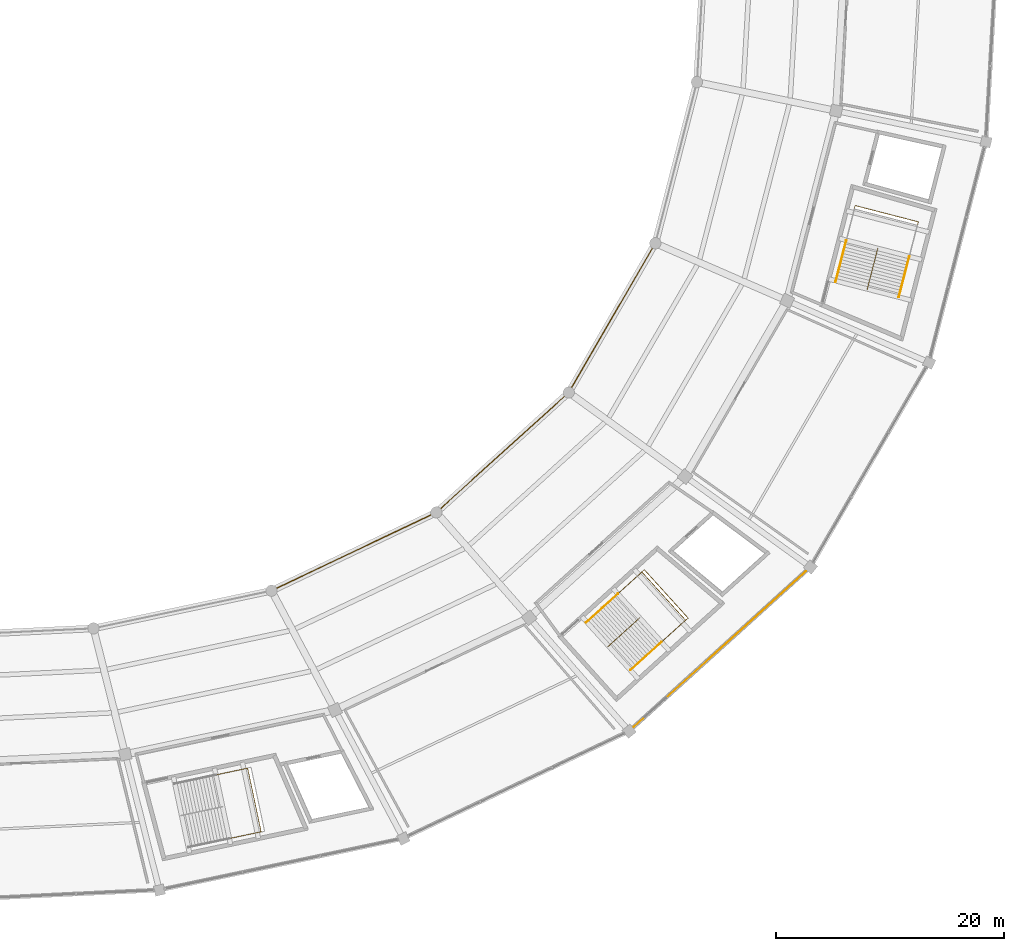
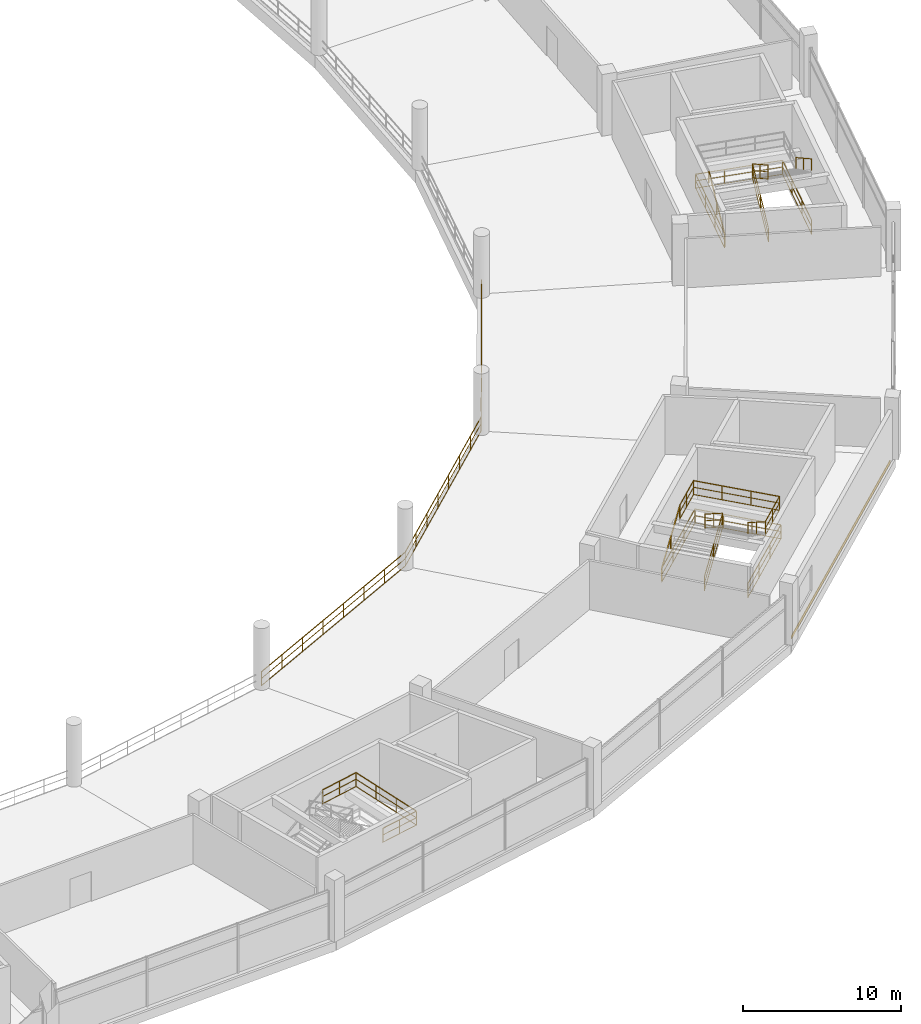
# One storey, part 167 of 171: 13 railings, 1 covering.
"""IFC4 building model written with IfcOpenShell, lengths in metres."""

from ifc_helpers import new_model, si_unit, direction, frame, origin, origin_2d, place, context, subcontext, project, spatial, rectangle, extrude, material, layer, layer_set, type_object, element, save


model = new_model("IFC4")

# Units and contexts
model_context = context("Model", 3, precision=1e-05, world=origin(), true_north=direction((0.0, 1.0)))
body_context = subcontext(model_context, "Body", "Model", "MODEL_VIEW")
ifc_project = project(units=[si_unit("LENGTHUNIT", "METRE"), si_unit("AREAUNIT", "SQUARE_METRE"), si_unit("VOLUMEUNIT", "CUBIC_METRE"), si_unit("PLANEANGLEUNIT", "RADIAN"), si_unit("MASSUNIT", "GRAM", prefix="KILO")], contexts=[model_context])

# Site, building, storey
site_placement = place(None, origin())
site = spatial("IfcSite", under=ifc_project, at=site_placement, CompositionType="ELEMENT")
building_placement = place(site_placement, origin())
building = spatial("IfcBuilding", under=site, at=building_placement, Name="Kazemori Nagisa Stadium", CompositionType="ELEMENT")
storey_placement = place(building_placement, frame((0.0, 0.0, 15.639892578125)))
storey = spatial("IfcBuildingStorey", under=building, at=storey_placement, Name="L03", CompositionType="ELEMENT", Elevation=15.639892578125)

# Covering
ifc_material_1 = material(Name="Anodised aluminium 6063-T5", Category="aluminium")
ifc_layer = layer(ifc_material_1, 0.034912109375, Name="Anodised aluminium 6063-T5", Category="aluminium")
ifc_layer_set = layer_set([ifc_layer], Name="Anodised aluminium 6063-T5")
covering_type = type_object("IfcCoveringType", Name="Covering_CLAD", PredefinedType="CLADDING", material=ifc_layer_set)
covering_placement = place(storey_placement, frame((193.546630859375, 38.13671875, -0.259765625), z_axis=(0.0, 0.0, 1.0), x_axis=(0.741350875443, 0.671117634607, 0.0)))
element("IfcCovering", 1, at=covering_placement, inside=storey, type_object=covering_type, Name="Anodised fascia cladding L03-B25", PredefinedType="CLADDING", context=body_context, shape_type="SweptSolid", body=[
    extrude(rectangle(XDim=20.34375, YDim=0.0400390625, at=origin_2d()), origin(), (0.0, 0.0, 1.0), 0.260009765625),
])

# Railings
ifc_material_2 = material(Name="Laminated safety glass and stainless steel SUS304", Category="steel")
railing_type_1 = type_object("IfcRailingType", Name="Rail_BAL", PredefinedType="BALUSTRADE", material=ifc_material_2)
railing_1_placement = place(storey_placement, frame((154.24755859375, 43.260986328125, 0.0)))
element("IfcRailing", 2, at=railing_1_placement, inside=storey, type_object=railing_type_1, Name="Concourse bowl balustrade L03-B24", PredefinedType="BALUSTRADE", context=body_context, shape_type="SweptSolid", body=[
    extrude(rectangle(XDim=0.050048828125, YDim=0.050048828125, at=origin_2d()), frame((0.0, 0.0, 1.09521484375), z_axis=(0.903211989129, 0.429194714196, 0.0), x_axis=(-0.429194714196, 0.903211989129, 0.0)), (0.0, 0.0, 1.0), 15.997314453125),
    extrude(rectangle(XDim=0.03759765625, YDim=0.03759765625, at=origin_2d()), frame((0.0, 0.0, 0.58251953125), z_axis=(0.903211989129, 0.429194714196, 0.0), x_axis=(-0.429194714196, 0.903211989129, 0.0)), (0.0, 0.0, 1.0), 15.997314453125),
    extrude(rectangle(XDim=0.03759765625, YDim=0.03759765625, at=origin_2d()), frame((0.0, 0.0, 0.02490234375), z_axis=(0.903211989129, 0.429194714196, 0.0), x_axis=(-0.429194714196, 0.903211989129, 0.0)), (0.0, 0.0, 1.0), 15.997314453125),
    extrude(rectangle(XDim=0.044921875, YDim=0.044921875, at=origin_2d()), origin(), (0.0, 0.0, 1.0), 1.070068359375),
    extrude(rectangle(XDim=0.044921875, YDim=0.044921875, at=origin_2d()), frame((2.064208984375, 0.98095703125, 0.0)), (0.0, 0.0, 1.0), 1.070068359375),
    extrude(rectangle(XDim=0.044921875, YDim=0.044921875, at=origin_2d()), frame((4.128173828125, 1.961669921875, 0.0)), (0.0, 0.0, 1.0), 1.070068359375),
    extrude(rectangle(XDim=0.044921875, YDim=0.044921875, at=origin_2d()), frame((6.1923828125, 2.942626953125, 0.0)), (0.0, 0.0, 1.0), 1.070068359375),
    extrude(rectangle(XDim=0.044921875, YDim=0.044921875, at=origin_2d()), frame((8.256591796875, 3.92333984375, 0.0)), (0.0, 0.0, 1.0), 1.070068359375),
    extrude(rectangle(XDim=0.044921875, YDim=0.044921875, at=origin_2d()), frame((10.32080078125, 4.904296875, 0.0)), (0.0, 0.0, 1.0), 1.070068359375),
    extrude(rectangle(XDim=0.044921875, YDim=0.044921875, at=origin_2d()), frame((12.384765625, 5.885009765625, 0.0)), (0.0, 0.0, 1.0), 1.070068359375),
    extrude(rectangle(XDim=0.044921875, YDim=0.044921875, at=origin_2d()), frame((14.448974609375, 6.865966796875, 0.0)), (0.0, 0.0, 1.0), 1.070068359375),
])
railing_2_placement = place(storey_placement, frame((168.696533203125, 50.126953125, 0.0)))
element("IfcRailing", 3, at=railing_2_placement, inside=storey, type_object=railing_type_1, Name="Concourse bowl balustrade L03-B25", PredefinedType="BALUSTRADE", context=body_context, shape_type="SweptSolid", body=[
    extrude(rectangle(XDim=0.050048828125, YDim=0.050048828125, at=origin_2d()), frame((0.0, 0.0, 1.09521484375), z_axis=(0.741349160152, 0.6711195294, 0.0), x_axis=(-0.6711195294, 0.741349160152, 0.0)), (0.0, 0.0, 1.0), 15.65380859375),
    extrude(rectangle(XDim=0.03759765625, YDim=0.03759765625, at=origin_2d()), frame((0.0, 0.0, 0.58251953125), z_axis=(0.741349160152, 0.6711195294, 0.0), x_axis=(-0.6711195294, 0.741349160152, 0.0)), (0.0, 0.0, 1.0), 15.65380859375),
    extrude(rectangle(XDim=0.03759765625, YDim=0.03759765625, at=origin_2d()), frame((0.0, 0.0, 0.02490234375), z_axis=(0.741349160152, 0.6711195294, 0.0), x_axis=(-0.6711195294, 0.741349160152, 0.0)), (0.0, 0.0, 1.0), 15.65380859375),
    extrude(rectangle(XDim=0.044921875, YDim=0.044921875, at=origin_2d()), origin(), (0.0, 0.0, 1.0), 1.070068359375),
    extrude(rectangle(XDim=0.044921875, YDim=0.044921875, at=origin_2d()), frame((1.657958984375, 1.500732421875, 0.0)), (0.0, 0.0, 1.0), 1.070068359375),
    extrude(rectangle(XDim=0.044921875, YDim=0.044921875, at=origin_2d()), frame((3.315673828125, 3.001708984375, 0.0)), (0.0, 0.0, 1.0), 1.070068359375),
    extrude(rectangle(XDim=0.044921875, YDim=0.044921875, at=origin_2d()), frame((4.9736328125, 4.50244140625, 0.0)), (0.0, 0.0, 1.0), 1.070068359375),
    extrude(rectangle(XDim=0.044921875, YDim=0.044921875, at=origin_2d()), frame((6.63134765625, 6.003173828125, 0.0)), (0.0, 0.0, 1.0), 1.070068359375),
    extrude(rectangle(XDim=0.044921875, YDim=0.044921875, at=origin_2d()), frame((8.289306640625, 7.50390625, 0.0)), (0.0, 0.0, 1.0), 1.070068359375),
    extrude(rectangle(XDim=0.044921875, YDim=0.044921875, at=origin_2d()), frame((9.947021484375, 9.0048828125, 0.0)), (0.0, 0.0, 1.0), 1.070068359375),
    extrude(rectangle(XDim=0.044921875, YDim=0.044921875, at=origin_2d()), frame((11.60498046875, 10.505615234375, 0.0)), (0.0, 0.0, 1.0), 1.070068359375),
])
railing_3_placement = place(storey_placement, frame((180.301513671875, 60.632568359375, 0.0)))
element("IfcRailing", 4, at=railing_3_placement, inside=storey, type_object=railing_type_1, Name="Concourse bowl balustrade L03-B26", PredefinedType="BALUSTRADE", context=body_context, shape_type="SweptSolid", body=[
    extrude(rectangle(XDim=0.050048828125, YDim=0.050048828125, at=origin_2d()), frame((0.0, 0.0, 1.09521484375), z_axis=(0.501613453924, 0.865091869597, 0.0), x_axis=(-0.865091869597, 0.501613453924, 0.0)), (0.0, 0.0, 1.0), 15.1201171875),
    extrude(rectangle(XDim=0.03759765625, YDim=0.03759765625, at=origin_2d()), frame((0.0, 0.0, 0.58251953125), z_axis=(0.501613453924, 0.865091869597, 0.0), x_axis=(-0.865091869597, 0.501613453924, 0.0)), (0.0, 0.0, 1.0), 15.1201171875),
    extrude(rectangle(XDim=0.03759765625, YDim=0.03759765625, at=origin_2d()), frame((0.0, 0.0, 0.02490234375), z_axis=(0.501613453924, 0.865091869597, 0.0), x_axis=(-0.865091869597, 0.501613453924, 0.0)), (0.0, 0.0, 1.0), 15.1201171875),
    extrude(rectangle(XDim=0.044921875, YDim=0.044921875, at=origin_2d()), origin(), (0.0, 0.0, 1.0), 1.070068359375),
    extrude(rectangle(XDim=0.044921875, YDim=0.044921875, at=origin_2d()), frame((1.08349609375, 1.86865234375, 0.0)), (0.0, 0.0, 1.0), 1.070068359375),
    extrude(rectangle(XDim=0.044921875, YDim=0.044921875, at=origin_2d()), frame((2.1669921875, 3.7373046875, 0.0)), (0.0, 0.0, 1.0), 1.070068359375),
    extrude(rectangle(XDim=0.044921875, YDim=0.044921875, at=origin_2d()), frame((3.25048828125, 5.60595703125, 0.0)), (0.0, 0.0, 1.0), 1.070068359375),
    extrude(rectangle(XDim=0.044921875, YDim=0.044921875, at=origin_2d()), frame((4.333984375, 7.474365234375, 0.0)), (0.0, 0.0, 1.0), 1.070068359375),
    extrude(rectangle(XDim=0.044921875, YDim=0.044921875, at=origin_2d()), frame((5.41748046875, 9.343017578125, 0.0)), (0.0, 0.0, 1.0), 1.070068359375),
    extrude(rectangle(XDim=0.044921875, YDim=0.044921875, at=origin_2d()), frame((6.5009765625, 11.211669921875, 0.0)), (0.0, 0.0, 1.0), 1.070068359375),
    extrude(rectangle(XDim=0.044921875, YDim=0.044921875, at=origin_2d()), frame((7.58447265625, 13.080322265625, 0.0)), (0.0, 0.0, 1.0), 1.070068359375),
])
ifc_material_3 = material(Name="Galvanised powder-coated steel", Category="steel")
railing_type_2 = type_object("IfcRailingType", Name="Rail_GUARD", PredefinedType="GUARDRAIL", material=ifc_material_3)
railing_4_placement = place(storey_placement, frame((149.372314453125, 27.11376953125, 2.380126953125)))
element("IfcRailing", 5, at=railing_4_placement, inside=storey, type_object=railing_type_2, Name="Stair landing guard ST06-L03", PredefinedType="GUARDRAIL", context=body_context, shape_type="SweptSolid", body=[
    extrude(rectangle(XDim=0.050048828125, YDim=0.050048828125, at=origin_2d()), frame((0.0, 0.0, 1.09521484375), z_axis=(0.978349369565, 0.206960167837, 0.0), x_axis=(-0.206960167837, 0.978349369565, 0.0)), (0.0, 0.0, 1.0), 2.85009765625),
    extrude(rectangle(XDim=0.03759765625, YDim=0.03759765625, at=origin_2d()), frame((0.0, 0.0, 0.58251953125), z_axis=(0.978349369565, 0.206960167837, 0.0), x_axis=(-0.206960167837, 0.978349369565, 0.0)), (0.0, 0.0, 1.0), 2.85009765625),
    extrude(rectangle(XDim=0.03759765625, YDim=0.03759765625, at=origin_2d()), frame((0.0, 0.0, 0.02490234375), z_axis=(0.978349369565, 0.206960167837, 0.0), x_axis=(-0.206960167837, 0.978349369565, 0.0)), (0.0, 0.0, 1.0), 2.85009765625),
    extrude(rectangle(XDim=0.050048828125, YDim=0.050048828125, at=origin_2d()), frame((2.788330078125, 0.58984375, 1.09521484375), z_axis=(0.206968840618, -0.978347534884, 0.0), x_axis=(0.978347534884, 0.206968840618, 0.0)), (0.0, 0.0, 1.0), 5.699951171875),
    extrude(rectangle(XDim=0.03759765625, YDim=0.03759765625, at=origin_2d()), frame((2.788330078125, 0.58984375, 0.58251953125), z_axis=(0.206968840618, -0.978347534884, 0.0), x_axis=(0.978347534884, 0.206968840618, 0.0)), (0.0, 0.0, 1.0), 5.699951171875),
    extrude(rectangle(XDim=0.03759765625, YDim=0.03759765625, at=origin_2d()), frame((2.788330078125, 0.58984375, 0.02490234375), z_axis=(0.206968840618, -0.978347534884, 0.0), x_axis=(0.978347534884, 0.206968840618, 0.0)), (0.0, 0.0, 1.0), 5.699951171875),
    extrude(rectangle(XDim=0.050048828125, YDim=0.050048828125, at=origin_2d()), frame((3.968017578125, -4.986572265625, 1.09521484375), z_axis=(-0.978349369565, -0.206960167837, 0.0), x_axis=(0.206960167837, -0.978349369565, 0.0)), (0.0, 0.0, 1.0), 2.85009765625),
    extrude(rectangle(XDim=0.03759765625, YDim=0.03759765625, at=origin_2d()), frame((3.968017578125, -4.986572265625, 0.58251953125), z_axis=(-0.978349369565, -0.206960167837, 0.0), x_axis=(0.206960167837, -0.978349369565, 0.0)), (0.0, 0.0, 1.0), 2.85009765625),
    extrude(rectangle(XDim=0.03759765625, YDim=0.03759765625, at=origin_2d()), frame((3.968017578125, -4.986572265625, 0.02490234375), z_axis=(-0.978349369565, -0.206960167837, 0.0), x_axis=(0.206960167837, -0.978349369565, 0.0)), (0.0, 0.0, 1.0), 2.85009765625),
    extrude(rectangle(XDim=0.044921875, YDim=0.044921875, at=origin_2d()), origin(), (0.0, 0.0, 1.0), 1.070068359375),
    extrude(rectangle(XDim=0.044921875, YDim=0.044921875, at=origin_2d()), frame((1.39404296875, 0.294921875, 0.0)), (0.0, 0.0, 1.0), 1.070068359375),
    extrude(rectangle(XDim=0.044921875, YDim=0.044921875, at=origin_2d()), frame((2.788330078125, 0.58984375, 0.0)), (0.0, 0.0, 1.0), 1.070068359375),
    extrude(rectangle(XDim=0.044921875, YDim=0.044921875, at=origin_2d()), frame((3.181640625, -1.26904296875, 0.0)), (0.0, 0.0, 1.0), 1.070068359375),
    extrude(rectangle(XDim=0.044921875, YDim=0.044921875, at=origin_2d()), frame((3.57470703125, -3.127685546875, 0.0)), (0.0, 0.0, 1.0), 1.070068359375),
    extrude(rectangle(XDim=0.044921875, YDim=0.044921875, at=origin_2d()), frame((3.968017578125, -4.986572265625, 0.0)), (0.0, 0.0, 1.0), 1.070068359375),
    extrude(rectangle(XDim=0.044921875, YDim=0.044921875, at=origin_2d()), frame((2.57373046875, -5.281494140625, 0.0)), (0.0, 0.0, 1.0), 1.070068359375),
    extrude(rectangle(XDim=0.044921875, YDim=0.044921875, at=origin_2d()), frame((1.1796875, -5.576416015625, 0.0)), (0.0, 0.0, 1.0), 1.070068359375),
])
railing_5_placement = place(storey_placement, frame((181.87890625, 40.5205078125, 0.0)))
element("IfcRailing", 6, at=railing_5_placement, inside=storey, type_object=railing_type_2, Name="Stair well perimeter guard ST04-L03", PredefinedType="GUARDRAIL", context=body_context, shape_type="SweptSolid", body=[
    extrude(rectangle(XDim=0.050048828125, YDim=0.050048828125, at=origin_2d()), frame((0.0, 0.0, 1.09521484375), z_axis=(0.741349748907, 0.671118879034, 0.0), x_axis=(-0.671118879034, 0.741349748907, 0.0)), (0.0, 0.0, 1.0), 6.81005859375),
    extrude(rectangle(XDim=0.03759765625, YDim=0.03759765625, at=origin_2d()), frame((0.0, 0.0, 0.58251953125), z_axis=(0.741349748907, 0.671118879034, 0.0), x_axis=(-0.671118879034, 0.741349748907, 0.0)), (0.0, 0.0, 1.0), 6.81005859375),
    extrude(rectangle(XDim=0.03759765625, YDim=0.03759765625, at=origin_2d()), frame((0.0, 0.0, 0.02490234375), z_axis=(0.741349748907, 0.671118879034, 0.0), x_axis=(-0.671118879034, 0.741349748907, 0.0)), (0.0, 0.0, 1.0), 6.81005859375),
    extrude(rectangle(XDim=0.050048828125, YDim=0.050048828125, at=origin_2d()), frame((5.048583984375, 4.5703125, 1.09521484375), z_axis=(0.671110696127, -0.741357156534, 0.0), x_axis=(0.741357156534, 0.671110696127, 0.0)), (0.0, 0.0, 1.0), 5.69970703125),
    extrude(rectangle(XDim=0.03759765625, YDim=0.03759765625, at=origin_2d()), frame((5.048583984375, 4.5703125, 0.58251953125), z_axis=(0.671110696127, -0.741357156534, 0.0), x_axis=(0.741357156534, 0.671110696127, 0.0)), (0.0, 0.0, 1.0), 5.69970703125),
    extrude(rectangle(XDim=0.03759765625, YDim=0.03759765625, at=origin_2d()), frame((5.048583984375, 4.5703125, 0.02490234375), z_axis=(0.671110696127, -0.741357156534, 0.0), x_axis=(0.741357156534, 0.671110696127, 0.0)), (0.0, 0.0, 1.0), 5.69970703125),
    extrude(rectangle(XDim=0.050048828125, YDim=0.050048828125, at=origin_2d()), frame((8.873779296875, 0.3447265625, 1.09521484375), z_axis=(-0.741349748907, -0.671118879034, 0.0), x_axis=(0.671118879034, -0.741349748907, 0.0)), (0.0, 0.0, 1.0), 6.81005859375),
    extrude(rectangle(XDim=0.03759765625, YDim=0.03759765625, at=origin_2d()), frame((8.873779296875, 0.3447265625, 0.58251953125), z_axis=(-0.741349748907, -0.671118879034, 0.0), x_axis=(0.671118879034, -0.741349748907, 0.0)), (0.0, 0.0, 1.0), 6.81005859375),
    extrude(rectangle(XDim=0.03759765625, YDim=0.03759765625, at=origin_2d()), frame((8.873779296875, 0.3447265625, 0.02490234375), z_axis=(-0.741349748907, -0.671118879034, 0.0), x_axis=(0.671118879034, -0.741349748907, 0.0)), (0.0, 0.0, 1.0), 6.81005859375),
    extrude(rectangle(XDim=0.044921875, YDim=0.044921875, at=origin_2d()), origin(), (0.0, 0.0, 1.0), 1.070068359375),
    extrude(rectangle(XDim=0.044921875, YDim=0.044921875, at=origin_2d()), frame((1.682861328125, 1.5234375, 0.0)), (0.0, 0.0, 1.0), 1.070068359375),
    extrude(rectangle(XDim=0.044921875, YDim=0.044921875, at=origin_2d()), frame((3.36572265625, 3.046875, 0.0)), (0.0, 0.0, 1.0), 1.070068359375),
    extrude(rectangle(XDim=0.044921875, YDim=0.044921875, at=origin_2d()), frame((5.048583984375, 4.5703125, 0.0)), (0.0, 0.0, 1.0), 1.070068359375),
    extrude(rectangle(XDim=0.044921875, YDim=0.044921875, at=origin_2d()), frame((6.32373046875, 3.161865234375, 0.0)), (0.0, 0.0, 1.0), 1.070068359375),
    extrude(rectangle(XDim=0.044921875, YDim=0.044921875, at=origin_2d()), frame((7.5986328125, 1.753173828125, 0.0)), (0.0, 0.0, 1.0), 1.070068359375),
    extrude(rectangle(XDim=0.044921875, YDim=0.044921875, at=origin_2d()), frame((8.873779296875, 0.3447265625, 0.0)), (0.0, 0.0, 1.0), 1.070068359375),
    extrude(rectangle(XDim=0.044921875, YDim=0.044921875, at=origin_2d()), frame((7.19091796875, -1.1787109375, 0.0)), (0.0, 0.0, 1.0), 1.070068359375),
    extrude(rectangle(XDim=0.044921875, YDim=0.044921875, at=origin_2d()), frame((5.508056640625, -2.7021484375, 0.0)), (0.0, 0.0, 1.0), 1.070068359375),
    extrude(rectangle(XDim=0.044921875, YDim=0.044921875, at=origin_2d()), frame((3.8251953125, -4.2255859375, 0.0)), (0.0, 0.0, 1.0), 1.070068359375),
])
railing_6_placement = place(storey_placement, frame((183.732177734375, 38.35400390625, 0.0)))
element("IfcRailing", 7, at=railing_6_placement, inside=storey, type_object=railing_type_2, Name="Stair central guard ST04-L03", PredefinedType="GUARDRAIL", context=body_context, shape_type="SweptSolid", body=[
    extrude(rectangle(XDim=0.050048828125, YDim=0.050048828125, at=origin_2d()), frame((0.0, 0.0, 1.09521484375), z_axis=(0.626150634945, 0.566841506219, 0.535374718478), x_axis=(-0.671124405314, 0.741344746114, 0.0)), (0.0, 0.0, 1.0), 4.44580078125),
    extrude(rectangle(XDim=0.03759765625, YDim=0.03759765625, at=origin_2d()), frame((0.0, 0.0, 0.58251953125), z_axis=(0.626150634945, 0.566841506219, 0.535374718478), x_axis=(-0.671124405314, 0.741344746114, 0.0)), (0.0, 0.0, 1.0), 4.44580078125),
    extrude(rectangle(XDim=0.03759765625, YDim=0.03759765625, at=origin_2d()), frame((0.0, 0.0, 0.02490234375), z_axis=(0.626150634945, 0.566841506219, 0.535374718478), x_axis=(-0.671124405314, 0.741344746114, 0.0)), (0.0, 0.0, 1.0), 4.44580078125),
    extrude(rectangle(XDim=0.050048828125, YDim=0.050048828125, at=origin_2d()), frame((2.78369140625, 2.52001953125, 3.47509765625), z_axis=(-0.622256089767, -0.563314904456, 0.543574904834), x_axis=(0.671123784078, -0.741345308506, 0.0)), (0.0, 0.0, 1.0), 4.378173828125),
    extrude(rectangle(XDim=0.03759765625, YDim=0.03759765625, at=origin_2d()), frame((2.78369140625, 2.52001953125, 2.962646484375), z_axis=(-0.622256089767, -0.563314904456, 0.543574904834), x_axis=(0.671123784078, -0.741345308506, 0.0)), (0.0, 0.0, 1.0), 4.378173828125),
    extrude(rectangle(XDim=0.03759765625, YDim=0.03759765625, at=origin_2d()), frame((2.78369140625, 2.52001953125, 2.4052734375), z_axis=(-0.622256089767, -0.563314904456, 0.543574904834), x_axis=(0.671123784078, -0.741345308506, 0.0)), (0.0, 0.0, 1.0), 4.378173828125),
    extrude(rectangle(XDim=0.044921875, YDim=0.044921875, at=origin_2d()), origin(), (0.0, 0.0, 1.0), 1.070068359375),
    extrude(rectangle(XDim=0.044921875, YDim=0.044921875, at=origin_2d()), frame((1.391845703125, 1.260009765625, 1.18994140625)), (0.0, 0.0, 1.0), 1.070068359375),
    extrude(rectangle(XDim=0.044921875, YDim=0.044921875, at=origin_2d()), frame((2.78369140625, 2.52001953125, 2.380126953125)), (0.0, 0.0, 1.0), 1.070068359375),
    extrude(rectangle(XDim=0.044921875, YDim=0.044921875, at=origin_2d()), frame((1.42138671875, 1.286865234375, 3.570068359375)), (0.0, 0.0, 1.0), 1.070068359375),
    extrude(rectangle(XDim=0.044921875, YDim=0.044921875, at=origin_2d()), frame((0.059326171875, 0.0537109375, 4.760009765625)), (0.0, 0.0, 1.0), 1.070068359375),
])
railing_7_placement = place(storey_placement, frame((184.603271484375, 42.98681640625, 2.380126953125)))
element("IfcRailing", 8, at=railing_7_placement, inside=storey, type_object=railing_type_2, Name="Stair landing guard ST04-L03", PredefinedType="GUARDRAIL", context=body_context, shape_type="SweptSolid", body=[
    extrude(rectangle(XDim=0.050048828125, YDim=0.050048828125, at=origin_2d()), frame((0.0, 0.0, 1.09521484375), z_axis=(0.741314535645, 0.671157775223, 0.0), x_axis=(-0.671157775223, 0.741314535645, 0.0)), (0.0, 0.0, 1.0), 2.85009765625),
    extrude(rectangle(XDim=0.03759765625, YDim=0.03759765625, at=origin_2d()), frame((0.0, 0.0, 0.58251953125), z_axis=(0.741314535645, 0.671157775223, 0.0), x_axis=(-0.671157775223, 0.741314535645, 0.0)), (0.0, 0.0, 1.0), 2.85009765625),
    extrude(rectangle(XDim=0.03759765625, YDim=0.03759765625, at=origin_2d()), frame((0.0, 0.0, 0.02490234375), z_axis=(0.741314535645, 0.671157775223, 0.0), x_axis=(-0.671157775223, 0.741314535645, 0.0)), (0.0, 0.0, 1.0), 2.85009765625),
    extrude(rectangle(XDim=0.050048828125, YDim=0.050048828125, at=origin_2d()), frame((2.11279296875, 1.912841796875, 1.09521484375), z_axis=(0.671112926645, -0.74135513736, 0.0), x_axis=(0.74135513736, 0.671112926645, 0.0)), (0.0, 0.0, 1.0), 5.7001953125),
    extrude(rectangle(XDim=0.03759765625, YDim=0.03759765625, at=origin_2d()), frame((2.11279296875, 1.912841796875, 0.58251953125), z_axis=(0.671112926645, -0.74135513736, 0.0), x_axis=(0.74135513736, 0.671112926645, 0.0)), (0.0, 0.0, 1.0), 5.7001953125),
    extrude(rectangle(XDim=0.03759765625, YDim=0.03759765625, at=origin_2d()), frame((2.11279296875, 1.912841796875, 0.02490234375), z_axis=(0.671112926645, -0.74135513736, 0.0), x_axis=(0.74135513736, 0.671112926645, 0.0)), (0.0, 0.0, 1.0), 5.7001953125),
    extrude(rectangle(XDim=0.050048828125, YDim=0.050048828125, at=origin_2d()), frame((5.938232421875, -2.31298828125, 1.09521484375), z_axis=(-0.741357156534, -0.671110696127, 0.0), x_axis=(0.671110696127, -0.741357156534, 0.0)), (0.0, 0.0, 1.0), 2.849853515625),
    extrude(rectangle(XDim=0.03759765625, YDim=0.03759765625, at=origin_2d()), frame((5.938232421875, -2.31298828125, 0.58251953125), z_axis=(-0.741357156534, -0.671110696127, 0.0), x_axis=(0.671110696127, -0.741357156534, 0.0)), (0.0, 0.0, 1.0), 2.849853515625),
    extrude(rectangle(XDim=0.03759765625, YDim=0.03759765625, at=origin_2d()), frame((5.938232421875, -2.31298828125, 0.02490234375), z_axis=(-0.741357156534, -0.671110696127, 0.0), x_axis=(0.671110696127, -0.741357156534, 0.0)), (0.0, 0.0, 1.0), 2.849853515625),
    extrude(rectangle(XDim=0.044921875, YDim=0.044921875, at=origin_2d()), origin(), (0.0, 0.0, 1.0), 1.070068359375),
    extrude(rectangle(XDim=0.044921875, YDim=0.044921875, at=origin_2d()), frame((1.056396484375, 0.95654296875, 0.0)), (0.0, 0.0, 1.0), 1.070068359375),
    extrude(rectangle(XDim=0.044921875, YDim=0.044921875, at=origin_2d()), frame((2.11279296875, 1.912841796875, 0.0)), (0.0, 0.0, 1.0), 1.070068359375),
    extrude(rectangle(XDim=0.044921875, YDim=0.044921875, at=origin_2d()), frame((3.387939453125, 0.504150390625, 0.0)), (0.0, 0.0, 1.0), 1.070068359375),
    extrude(rectangle(XDim=0.044921875, YDim=0.044921875, at=origin_2d()), frame((4.6630859375, -0.904296875, 0.0)), (0.0, 0.0, 1.0), 1.070068359375),
    extrude(rectangle(XDim=0.044921875, YDim=0.044921875, at=origin_2d()), frame((5.938232421875, -2.31298828125, 0.0)), (0.0, 0.0, 1.0), 1.070068359375),
    extrude(rectangle(XDim=0.044921875, YDim=0.044921875, at=origin_2d()), frame((4.8818359375, -3.269287109375, 0.0)), (0.0, 0.0, 1.0), 1.070068359375),
    extrude(rectangle(XDim=0.044921875, YDim=0.044921875, at=origin_2d()), frame((3.825439453125, -4.2255859375, 0.0)), (0.0, 0.0, 1.0), 1.070068359375),
])
railing_8_placement = place(storey_placement, frame((203.708740234375, 70.41650390625, 0.0)))
element("IfcRailing", 9, at=railing_8_placement, inside=storey, type_object=railing_type_2, Name="Stair well perimeter guard ST10-L03", PredefinedType="GUARDRAIL", context=body_context, shape_type="SweptSolid", body=[
    extrude(rectangle(XDim=0.050048828125, YDim=0.050048828125, at=origin_2d()), frame((0.0, 0.0, 1.09521484375), z_axis=(0.249951748519, 0.968258293748, 0.0), x_axis=(-0.968258293748, 0.249951748519, 0.0)), (0.0, 0.0, 1.0), 6.809814453125),
    extrude(rectangle(XDim=0.03759765625, YDim=0.03759765625, at=origin_2d()), frame((0.0, 0.0, 0.58251953125), z_axis=(0.249951748519, 0.968258293748, 0.0), x_axis=(-0.968258293748, 0.249951748519, 0.0)), (0.0, 0.0, 1.0), 6.809814453125),
    extrude(rectangle(XDim=0.03759765625, YDim=0.03759765625, at=origin_2d()), frame((0.0, 0.0, 0.02490234375), z_axis=(0.249951748519, 0.968258293748, 0.0), x_axis=(-0.968258293748, 0.249951748519, 0.0)), (0.0, 0.0, 1.0), 6.809814453125),
    extrude(rectangle(XDim=0.050048828125, YDim=0.050048828125, at=origin_2d()), frame((1.7021484375, 6.59375, 1.09521484375), z_axis=(0.968254587534, -0.249966105142, 0.0), x_axis=(0.249966105142, 0.968254587534, 0.0)), (0.0, 0.0, 1.0), 5.699951171875),
    extrude(rectangle(XDim=0.03759765625, YDim=0.03759765625, at=origin_2d()), frame((1.7021484375, 6.59375, 0.58251953125), z_axis=(0.968254587534, -0.249966105142, 0.0), x_axis=(0.249966105142, 0.968254587534, 0.0)), (0.0, 0.0, 1.0), 5.699951171875),
    extrude(rectangle(XDim=0.03759765625, YDim=0.03759765625, at=origin_2d()), frame((1.7021484375, 6.59375, 0.02490234375), z_axis=(0.968254587534, -0.249966105142, 0.0), x_axis=(0.249966105142, 0.968254587534, 0.0)), (0.0, 0.0, 1.0), 5.699951171875),
    extrude(rectangle(XDim=0.050048828125, YDim=0.050048828125, at=origin_2d()), frame((7.22119140625, 5.1689453125, 1.09521484375), z_axis=(-0.249951748519, -0.968258293748, 0.0), x_axis=(0.968258293748, -0.249951748519, 0.0)), (0.0, 0.0, 1.0), 6.809814453125),
    extrude(rectangle(XDim=0.03759765625, YDim=0.03759765625, at=origin_2d()), frame((7.22119140625, 5.1689453125, 0.58251953125), z_axis=(-0.249951748519, -0.968258293748, 0.0), x_axis=(0.968258293748, -0.249951748519, 0.0)), (0.0, 0.0, 1.0), 6.809814453125),
    extrude(rectangle(XDim=0.03759765625, YDim=0.03759765625, at=origin_2d()), frame((7.22119140625, 5.1689453125, 0.02490234375), z_axis=(-0.249951748519, -0.968258293748, 0.0), x_axis=(0.968258293748, -0.249951748519, 0.0)), (0.0, 0.0, 1.0), 6.809814453125),
    extrude(rectangle(XDim=0.044921875, YDim=0.044921875, at=origin_2d()), origin(), (0.0, 0.0, 1.0), 1.070068359375),
    extrude(rectangle(XDim=0.044921875, YDim=0.044921875, at=origin_2d()), frame((0.5673828125, 2.197998046875, 0.0)), (0.0, 0.0, 1.0), 1.070068359375),
    extrude(rectangle(XDim=0.044921875, YDim=0.044921875, at=origin_2d()), frame((1.134765625, 4.395751953125, 0.0)), (0.0, 0.0, 1.0), 1.070068359375),
    extrude(rectangle(XDim=0.044921875, YDim=0.044921875, at=origin_2d()), frame((1.7021484375, 6.59375, 0.0)), (0.0, 0.0, 1.0), 1.070068359375),
    extrude(rectangle(XDim=0.044921875, YDim=0.044921875, at=origin_2d()), frame((3.541748046875, 6.118896484375, 0.0)), (0.0, 0.0, 1.0), 1.070068359375),
    extrude(rectangle(XDim=0.044921875, YDim=0.044921875, at=origin_2d()), frame((5.381591796875, 5.643798828125, 0.0)), (0.0, 0.0, 1.0), 1.070068359375),
    extrude(rectangle(XDim=0.044921875, YDim=0.044921875, at=origin_2d()), frame((7.22119140625, 5.1689453125, 0.0)), (0.0, 0.0, 1.0), 1.070068359375),
    extrude(rectangle(XDim=0.044921875, YDim=0.044921875, at=origin_2d()), frame((6.65380859375, 2.970947265625, 0.0)), (0.0, 0.0, 1.0), 1.070068359375),
    extrude(rectangle(XDim=0.044921875, YDim=0.044921875, at=origin_2d()), frame((6.08642578125, 0.773193359375, 0.0)), (0.0, 0.0, 1.0), 1.070068359375),
    extrude(rectangle(XDim=0.044921875, YDim=0.044921875, at=origin_2d()), frame((5.51904296875, -1.4248046875, 0.0)), (0.0, 0.0, 1.0), 1.070068359375),
])
railing_9_placement = place(storey_placement, frame((206.4482421875, 69.626708984375, 0.0)))
element("IfcRailing", 10, at=railing_9_placement, inside=storey, type_object=railing_type_2, Name="Stair central guard ST10-L03", PredefinedType="GUARDRAIL", context=body_context, shape_type="SweptSolid", body=[
    extrude(rectangle(XDim=0.050048828125, YDim=0.050048828125, at=origin_2d()), frame((0.0, 0.0, 1.09521484375), z_axis=(0.21109697556, 0.817808574412, 0.535375758256), x_axis=(-0.968263113111, 0.249933078619, 0.0)), (0.0, 0.0, 1.0), 4.44580078125),
    extrude(rectangle(XDim=0.03759765625, YDim=0.03759765625, at=origin_2d()), frame((0.0, 0.0, 0.58251953125), z_axis=(0.21109697556, 0.817808574412, 0.535375758256), x_axis=(-0.968263113111, 0.249933078619, 0.0)), (0.0, 0.0, 1.0), 4.44580078125),
    extrude(rectangle(XDim=0.03759765625, YDim=0.03759765625, at=origin_2d()), frame((0.0, 0.0, 0.02490234375), z_axis=(0.21109697556, 0.817808574412, 0.535375758256), x_axis=(-0.968263113111, 0.249933078619, 0.0)), (0.0, 0.0, 1.0), 4.44580078125),
    extrude(rectangle(XDim=0.050048828125, YDim=0.050048828125, at=origin_2d()), frame((0.9384765625, 3.6357421875, 3.47509765625), z_axis=(-0.209776192239, -0.812729399756, 0.543566805408), x_axis=(0.96826591561, -0.249922221237, 0.0)), (0.0, 0.0, 1.0), 4.378173828125),
    extrude(rectangle(XDim=0.03759765625, YDim=0.03759765625, at=origin_2d()), frame((0.9384765625, 3.6357421875, 2.962646484375), z_axis=(-0.209776192239, -0.812729399756, 0.543566805408), x_axis=(0.96826591561, -0.249922221237, 0.0)), (0.0, 0.0, 1.0), 4.378173828125),
    extrude(rectangle(XDim=0.03759765625, YDim=0.03759765625, at=origin_2d()), frame((0.9384765625, 3.6357421875, 2.4052734375), z_axis=(-0.209776192239, -0.812729399756, 0.543566805408), x_axis=(0.96826591561, -0.249922221237, 0.0)), (0.0, 0.0, 1.0), 4.378173828125),
    extrude(rectangle(XDim=0.044921875, YDim=0.044921875, at=origin_2d()), origin(), (0.0, 0.0, 1.0), 1.070068359375),
    extrude(rectangle(XDim=0.044921875, YDim=0.044921875, at=origin_2d()), frame((0.46923828125, 1.81787109375, 1.18994140625)), (0.0, 0.0, 1.0), 1.070068359375),
    extrude(rectangle(XDim=0.044921875, YDim=0.044921875, at=origin_2d()), frame((0.9384765625, 3.6357421875, 2.380126953125)), (0.0, 0.0, 1.0), 1.070068359375),
    extrude(rectangle(XDim=0.044921875, YDim=0.044921875, at=origin_2d()), frame((0.479248046875, 1.8564453125, 3.570068359375)), (0.0, 0.0, 1.0), 1.070068359375),
    extrude(rectangle(XDim=0.044921875, YDim=0.044921875, at=origin_2d()), frame((0.02001953125, 0.077392578125, 4.760009765625)), (0.0, 0.0, 1.0), 1.070068359375),
])
ifc_material_4 = material(Name="Stainless steel SUS304", Category="steel")
railing_type_3 = type_object("IfcRailingType", Name="Rail_HAND", PredefinedType="HANDRAIL", material=ifc_material_4)
railing_10_placement = place(storey_placement, frame((181.819580078125, 40.466796875, 0.170166015625)))
element("IfcRailing", 11, at=railing_10_placement, inside=storey, type_object=railing_type_3, Name="Stair handrail ST04-L03-F1", PredefinedType="HANDRAIL", context=body_context, shape_type="SweptSolid", body=[
    extrude(rectangle(XDim=0.050048828125, YDim=0.050048828125, at=origin_2d()), frame((0.0, 0.0, 0.875), z_axis=(0.626169043994, 0.566858171558, 0.535335541208), x_axis=(-0.671124405314, 0.741344746114, 0.0)), (0.0, 0.0, 1.0), 4.445556640625),
    extrude(rectangle(XDim=0.044921875, YDim=0.044921875, at=origin_2d()), origin(), (0.0, 0.0, 1.0), 0.849853515625),
    extrude(rectangle(XDim=0.044921875, YDim=0.044921875, at=origin_2d()), frame((1.391845703125, 1.260009765625, 1.18994140625)), (0.0, 0.0, 1.0), 0.849853515625),
    extrude(rectangle(XDim=0.044921875, YDim=0.044921875, at=origin_2d()), frame((2.78369140625, 2.52001953125, 2.3798828125)), (0.0, 0.0, 1.0), 0.849853515625),
])
railing_11_placement = place(storey_placement, frame((188.4287109375, 38.76123046875, 2.550048828125)))
element("IfcRailing", 12, at=railing_11_placement, inside=storey, type_object=railing_type_3, Name="Stair handrail ST04-L03-F2", PredefinedType="HANDRAIL", context=body_context, shape_type="SweptSolid", body=[
    extrude(rectangle(XDim=0.050048828125, YDim=0.050048828125, at=origin_2d()), frame((0.0, 0.0, 0.875), z_axis=(-0.622271398058, -0.563278285232, 0.543595327928), x_axis=(0.671090731464, -0.741375228978, 0.0)), (0.0, 0.0, 1.0), 4.37841796875),
    extrude(rectangle(XDim=0.044921875, YDim=0.044921875, at=origin_2d()), origin(), (0.0, 0.0, 1.0), 0.849853515625),
    extrude(rectangle(XDim=0.044921875, YDim=0.044921875, at=origin_2d()), frame((-1.3623046875, -1.233154296875, 1.18994140625)), (0.0, 0.0, 1.0), 0.849853515625),
    extrude(rectangle(XDim=0.044921875, YDim=0.044921875, at=origin_2d()), frame((-2.724609375, -2.46630859375, 2.380126953125)), (0.0, 0.0, 1.0), 0.849853515625),
])
railing_12_placement = place(storey_placement, frame((203.688720703125, 70.3388671875, 0.170166015625)))
element("IfcRailing", 13, at=railing_12_placement, inside=storey, type_object=railing_type_3, Name="Stair handrail ST10-L03-F1", PredefinedType="HANDRAIL", context=body_context, shape_type="SweptSolid", body=[
    extrude(rectangle(XDim=0.050048828125, YDim=0.050048828125, at=origin_2d()), frame((0.0, 0.0, 0.875), z_axis=(0.21109370087, 0.817850803086, 0.535312538004), x_axis=(-0.968267174241, 0.249917344912, 0.0)), (0.0, 0.0, 1.0), 4.44580078125),
    extrude(rectangle(XDim=0.044921875, YDim=0.044921875, at=origin_2d()), origin(), (0.0, 0.0, 1.0), 0.849853515625),
    extrude(rectangle(XDim=0.044921875, YDim=0.044921875, at=origin_2d()), frame((0.46923828125, 1.81787109375, 1.18994140625)), (0.0, 0.0, 1.0), 0.849853515625),
    extrude(rectangle(XDim=0.044921875, YDim=0.044921875, at=origin_2d()), frame((0.9384765625, 3.635986328125, 2.3798828125)), (0.0, 0.0, 1.0), 0.849853515625),
])
railing_13_placement = place(storey_placement, frame((210.146484375, 72.550048828125, 2.550048828125)))
element("IfcRailing", 14, at=railing_13_placement, inside=storey, type_object=railing_type_3, Name="Stair handrail ST10-L03-F2", PredefinedType="HANDRAIL", context=body_context, shape_type="SweptSolid", body=[
    extrude(rectangle(XDim=0.050048828125, YDim=0.050048828125, at=origin_2d()), frame((0.0, 0.0, 0.875), z_axis=(-0.209823139439, -0.812695258389, 0.543599730637), x_axis=(0.968249837593, -0.249984503524, 0.0)), (0.0, 0.0, 1.0), 4.37841796875),
    extrude(rectangle(XDim=0.044921875, YDim=0.044921875, at=origin_2d()), origin(), (0.0, 0.0, 1.0), 0.849853515625),
    extrude(rectangle(XDim=0.044921875, YDim=0.044921875, at=origin_2d()), frame((-0.45947265625, -1.779296875, 1.18994140625)), (0.0, 0.0, 1.0), 0.849853515625),
    extrude(rectangle(XDim=0.044921875, YDim=0.044921875, at=origin_2d()), frame((-0.918701171875, -3.558349609375, 2.380126953125)), (0.0, 0.0, 1.0), 0.849853515625),
])

save(model, "model.ifc")
